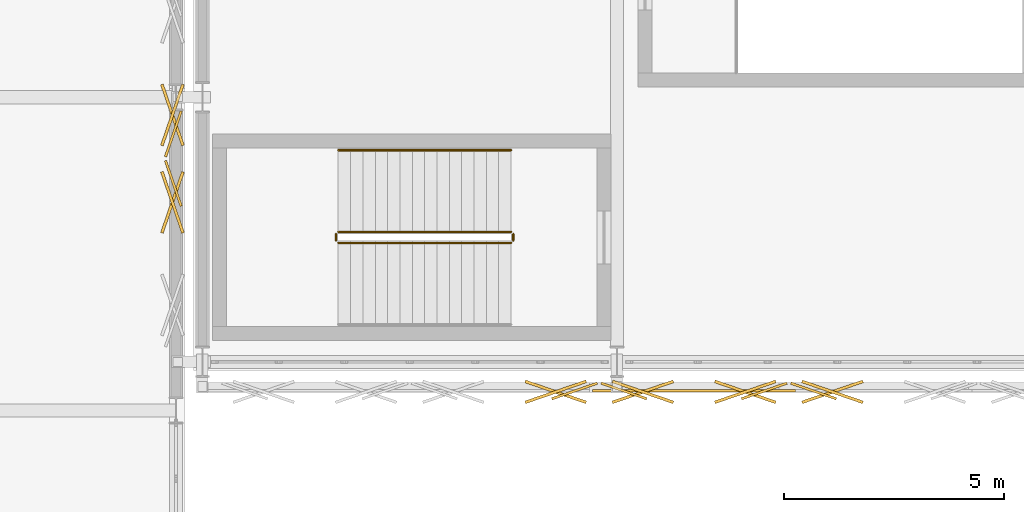
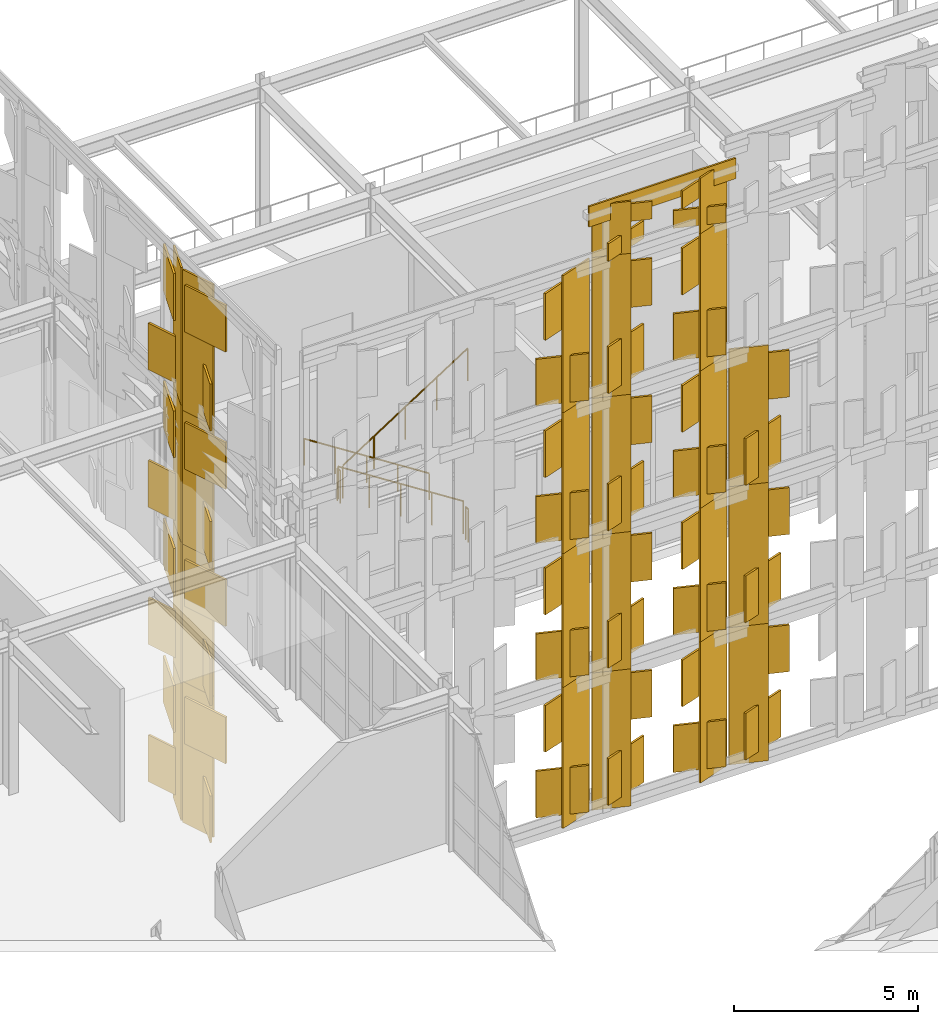
# One storey, part 228 of 239: 76 coverings, 5 railings.
"""IFC4 building model written with IfcOpenShell, lengths in metres."""

from ifc_helpers import new_model, si_unit, direction, frame, origin, origin_2d, place, context, subcontext, project, spatial, rectangle, circle, extrude, material, layer, layer_set, type_object, element, save


model = new_model("IFC4")

# Units and contexts
model_context = context("Model", 3, precision=1e-05, world=origin(), true_north=direction((0.0, 1.0)))
body_context = subcontext(model_context, "Body", "Model", "MODEL_VIEW")
ifc_project = project(units=[si_unit("LENGTHUNIT", "METRE"), si_unit("AREAUNIT", "SQUARE_METRE"), si_unit("VOLUMEUNIT", "CUBIC_METRE"), si_unit("PLANEANGLEUNIT", "RADIAN"), si_unit("MASSUNIT", "GRAM", prefix="KILO")], contexts=[model_context])

# Site, building, storey
site_placement = place(None, origin())
site = spatial("IfcSite", under=ifc_project, at=site_placement, CompositionType="ELEMENT")
building_placement = place(site_placement, origin())
building = spatial("IfcBuilding", under=site, at=building_placement, Name="Kaldris Quays Convention Centre", CompositionType="ELEMENT")
storey_placement = place(building_placement, frame((0.0, 0.0, 11.39990234375)))
storey = spatial("IfcBuildingStorey", under=building, at=storey_placement, Name="L02", CompositionType="ELEMENT", Elevation=11.39990234375)

# Railings
ifc_material_1 = material(Name="Steel S355J2", Category="steel")
railing_type_1 = type_object("IfcRailingType", Name="INTERIOR GUARDRAIL GR01", PredefinedType="GUARDRAIL", material=ifc_material_1)
railing_1_placement = place(storey_placement, frame((171.60009765625, 58.949951171875, 0.18017578125)))
element("IfcRailing", 1, at=railing_1_placement, inside=storey, type_object=railing_type_1, Name="L02 ST08 Stair Guardrail 1", PredefinedType="GUARDRAIL", context=body_context, shape_type="SweptSolid", body=[
    extrude(circle(Radius=0.02392578125, at=origin_2d()), frame((0.0, 0.0, 1.076171875), z_axis=(-0.841186985886, 0.0, 0.540744352514), x_axis=(0.0, -1.0, 0.0)), (0.0, 0.0, 1.0), 4.660400390625),
    extrude(circle(Radius=0.02099609375, at=origin_2d()), origin(), (0.0, 0.0, 1.0), 1.052001953125),
    extrude(circle(Radius=0.02099609375, at=origin_2d()), frame((-0.97998046875, 0.0, 0.6298828125)), (0.0, 0.0, 1.0), 1.052001953125),
    extrude(circle(Radius=0.02099609375, at=origin_2d()), frame((-1.9599609375, 0.0, 1.260009765625)), (0.0, 0.0, 1.0), 1.052001953125),
    extrude(circle(Radius=0.02099609375, at=origin_2d()), frame((-2.940185546875, 0.0, 1.89013671875)), (0.0, 0.0, 1.0), 1.052001953125),
    extrude(circle(Radius=0.02099609375, at=origin_2d()), frame((-3.920166015625, 0.0, 2.52001953125)), (0.0, 0.0, 1.0), 1.052001953125),
])
railing_2_placement = place(storey_placement, frame((167.6298828125, 58.89990234375, 2.7001953125)))
element("IfcRailing", 2, at=railing_2_placement, inside=storey, type_object=railing_type_1, Name="L02 ST08 Stair Guardrail 2", PredefinedType="GUARDRAIL", context=body_context, shape_type="SweptSolid", body=[
    extrude(circle(Radius=0.02392578125, at=origin_2d()), frame((0.0, 0.0, 1.076171875), z_axis=(0.0, -1.0, 0.0), x_axis=(1.0, 0.0, 0.0)), (0.0, 0.0, 1.0), 0.14990234375),
    extrude(circle(Radius=0.02099609375, at=origin_2d()), origin(), (0.0, 0.0, 1.0), 1.052001953125),
    extrude(circle(Radius=0.02099609375, at=origin_2d()), frame((0.0, -0.14990234375, 0.0)), (0.0, 0.0, 1.0), 1.052001953125),
])
railing_3_placement = place(storey_placement, frame((167.679931640625, 58.699951171875, 2.880126953125)))
element("IfcRailing", 3, at=railing_3_placement, inside=storey, type_object=railing_type_1, Name="L02 ST08 Stair Guardrail 3", PredefinedType="GUARDRAIL", context=body_context, shape_type="SweptSolid", body=[
    extrude(circle(Radius=0.02392578125, at=origin_2d()), frame((0.0, 0.0, 1.076171875), z_axis=(0.841186985886, 0.0, 0.540744352514), x_axis=(0.0, 1.0, 0.0)), (0.0, 0.0, 1.0), 4.660400390625),
    extrude(circle(Radius=0.02099609375, at=origin_2d()), origin(), (0.0, 0.0, 1.0), 1.052001953125),
    extrude(circle(Radius=0.02099609375, at=origin_2d()), frame((0.97998046875, 0.0, 0.6298828125)), (0.0, 0.0, 1.0), 1.052001953125),
    extrude(circle(Radius=0.02099609375, at=origin_2d()), frame((1.9599609375, 0.0, 1.260009765625)), (0.0, 0.0, 1.0), 1.052001953125),
    extrude(circle(Radius=0.02099609375, at=origin_2d()), frame((2.940185546875, 0.0, 1.89013671875)), (0.0, 0.0, 1.0), 1.052001953125),
    extrude(circle(Radius=0.02099609375, at=origin_2d()), frame((3.920166015625, 0.0, 2.52001953125)), (0.0, 0.0, 1.0), 1.052001953125),
])
railing_4_placement = place(storey_placement, frame((171.64990234375, 58.89990234375, 0.0)))
element("IfcRailing", 4, at=railing_4_placement, inside=storey, type_object=railing_type_1, Name="L02 ST08 Stair Guardrail 4", PredefinedType="GUARDRAIL", context=body_context, shape_type="SweptSolid", body=[
    extrude(circle(Radius=0.02392578125, at=origin_2d()), frame((0.0, 0.0, 1.076171875), z_axis=(0.0, -1.0, 0.0), x_axis=(1.0, 0.0, 0.0)), (0.0, 0.0, 1.0), 0.14990234375),
    extrude(circle(Radius=0.02099609375, at=origin_2d()), origin(), (0.0, 0.0, 1.0), 1.052001953125),
    extrude(circle(Radius=0.02099609375, at=origin_2d()), frame((0.0, -0.14990234375, 0.0)), (0.0, 0.0, 1.0), 1.052001953125),
])
ifc_material_2 = material(Name="Stainless steel 1.4301", Category="steel")
railing_type_2 = type_object("IfcRailingType", Name="STAIR HANDRAIL HR01", PredefinedType="HANDRAIL", material=ifc_material_2)
railing_5_placement = place(storey_placement, frame((171.60009765625, 60.800048828125, 0.18017578125)))
element("IfcRailing", 5, at=railing_5_placement, inside=storey, type_object=railing_type_2, Name="L02 ST08 Flight Handrail 1", PredefinedType="HANDRAIL", context=body_context, shape_type="SweptSolid", body=[
    extrude(circle(Radius=0.02392578125, at=origin_2d()), frame((0.0, 0.0, 0.8759765625), z_axis=(-0.841186985886, 0.0, 0.540744352514), x_axis=(0.0, -1.0, 0.0)), (0.0, 0.0, 1.0), 4.660400390625),
    extrude(circle(Radius=0.02099609375, at=origin_2d()), origin(), (0.0, 0.0, 1.0), 0.851806640625),
    extrude(circle(Radius=0.02099609375, at=origin_2d()), frame((-0.97998046875, 0.0, 0.6298828125)), (0.0, 0.0, 1.0), 0.851806640625),
    extrude(circle(Radius=0.02099609375, at=origin_2d()), frame((-1.9599609375, 0.0, 1.260009765625)), (0.0, 0.0, 1.0), 0.851806640625),
    extrude(circle(Radius=0.02099609375, at=origin_2d()), frame((-2.940185546875, 0.0, 1.89013671875)), (0.0, 0.0, 1.0), 0.851806640625),
    extrude(circle(Radius=0.02099609375, at=origin_2d()), frame((-3.920166015625, 0.0, 2.52001953125)), (0.0, 0.0, 1.0), 0.851806640625),
])

# Coverings
ifc_material_3 = material(Name="Alabaster white star-pierced anodized aluminium panel", Category="aluminium")
ifc_layer = layer(ifc_material_3, 0.044921875)
ifc_layer_set = layer_set([ifc_layer], Name="Alabaster white star-pierced anodized aluminium panel")
covering_type = type_object("IfcCoveringType", Name="STAR PIERCED WHITE FOLDED SCREEN CL01", PredefinedType="CLADDING", material=ifc_layer_set)
covering_1_placement = place(storey_placement, frame((163.93994140625, 60.048828125, -7.60986328125), z_axis=(0.0, 0.0, 1.0), x_axis=(-0.325568154457, 0.945518575599, 0.0)))
element("IfcCovering", 6, at=covering_1_placement, inside=storey, type_object=covering_type, Name="V2W Folded White Screen Stile 2142", PredefinedType="CLADDING", context=body_context, shape_type="SweptSolid", body=[
    extrude(rectangle(XDim=1.093994140625, YDim=0.054931640625, at=origin_2d()), origin(), (0.0, 0.0, 1.0), 4.669921875),
])
for number, where, z_axis, x_axis, name in (
    (7, (163.919921875, 59.617919921875, -7.27685546875), (0.0, 0.0, 1.0), (0.325568154457, 0.945518575599, 0.0), "V2W Carved Star Corner Facet 2145"),
    (8, (163.919921875, 59.617919921875, -4.81982421875), (0.0, 0.0, 1.0), (-0.325568154457, 0.945518575599, 0.0), "V2W Carved Star Corner Facet 2146"),
):
    element("IfcCovering", number, at=place(storey_placement, frame(where, z_axis=z_axis, x_axis=x_axis)), inside=storey, type_object=covering_type, Name=name, PredefinedType="CLADDING", context=body_context, shape_type="SweptSolid", body=[
        extrude(rectangle(XDim=1.465087890625, YDim=0.06494140625, at=origin_2d()), origin(), (0.0, 0.0, 1.0), 1.547119140625),
    ])
covering_2_placement = place(storey_placement, frame((163.93994140625, 60.048828125, -3.059814453125), z_axis=(0.0, 0.0, 1.0), x_axis=(-0.325568154457, 0.945518575599, 0.0)))
element("IfcCovering", 9, at=covering_2_placement, inside=storey, type_object=covering_type, Name="V2W Folded White Screen Stile 2148", PredefinedType="CLADDING", context=body_context, shape_type="SweptSolid", body=[
    extrude(rectangle(XDim=1.093994140625, YDim=0.054931640625, at=origin_2d()), origin(), (0.0, 0.0, 1.0), 4.669921875),
])
for number, where, z_axis, x_axis, name in (
    (10, (163.919921875, 59.617919921875, -2.72705078125), (0.0, 0.0, 1.0), (0.325568154457, 0.945518575599, 0.0), "V2W Carved Star Corner Facet 2151"),
    (11, (163.919921875, 59.617919921875, -0.27001953125), (0.0, 0.0, 1.0), (-0.325568154457, 0.945518575599, 0.0), "V2W Carved Star Corner Facet 2152"),
):
    element("IfcCovering", number, at=place(storey_placement, frame(where, z_axis=z_axis, x_axis=x_axis)), inside=storey, type_object=covering_type, Name=name, PredefinedType="CLADDING", context=body_context, shape_type="SweptSolid", body=[
        extrude(rectangle(XDim=1.465087890625, YDim=0.06494140625, at=origin_2d()), origin(), (0.0, 0.0, 1.0), 1.547119140625),
    ])
covering_3_placement = place(storey_placement, frame((163.93994140625, 60.048828125, 1.490234375), z_axis=(0.0, 0.0, 1.0), x_axis=(-0.325568154457, 0.945518575599, 0.0)))
element("IfcCovering", 12, at=covering_3_placement, inside=storey, type_object=covering_type, Name="V2W Folded White Screen Stile 2154", PredefinedType="CLADDING", context=body_context, shape_type="SweptSolid", body=[
    extrude(rectangle(XDim=1.093994140625, YDim=0.054931640625, at=origin_2d()), origin(), (0.0, 0.0, 1.0), 4.669921875),
])
for number, where, z_axis, x_axis, name in (
    (13, (163.919921875, 59.617919921875, 1.8232421875), (0.0, 0.0, 1.0), (0.325568154457, 0.945518575599, 0.0), "V2W Carved Star Corner Facet 2157"),
    (14, (163.919921875, 59.617919921875, 4.2802734375), (0.0, 0.0, 1.0), (-0.325568154457, 0.945518575599, 0.0), "V2W Carved Star Corner Facet 2158"),
):
    element("IfcCovering", number, at=place(storey_placement, frame(where, z_axis=z_axis, x_axis=x_axis)), inside=storey, type_object=covering_type, Name=name, PredefinedType="CLADDING", context=body_context, shape_type="SweptSolid", body=[
        extrude(rectangle(XDim=1.465087890625, YDim=0.06494140625, at=origin_2d()), origin(), (0.0, 0.0, 1.0), 1.547119140625),
    ])
covering_4_placement = place(storey_placement, frame((163.93994140625, 60.048828125, 6.0400390625), z_axis=(0.0, 0.0, 1.0), x_axis=(-0.325568154457, 0.945518575599, 0.0)))
element("IfcCovering", 15, at=covering_4_placement, inside=storey, type_object=covering_type, Name="V2W Folded White Screen Stile 2160", PredefinedType="CLADDING", context=body_context, shape_type="SweptSolid", body=[
    extrude(rectangle(XDim=1.093994140625, YDim=0.054931640625, at=origin_2d()), origin(), (0.0, 0.0, 1.0), 4.669921875),
])
for number, where, z_axis, x_axis, name in (
    (16, (163.919921875, 59.617919921875, 6.373046875), (0.0, 0.0, 1.0), (0.325568154457, 0.945518575599, 0.0), "V2W Carved Star Corner Facet 2163"),
    (17, (163.919921875, 59.617919921875, 8.830078125), (0.0, 0.0, 1.0), (-0.325568154457, 0.945518575599, 0.0), "V2W Carved Star Corner Facet 2164"),
):
    element("IfcCovering", number, at=place(storey_placement, frame(where, z_axis=z_axis, x_axis=x_axis)), inside=storey, type_object=covering_type, Name=name, PredefinedType="CLADDING", context=body_context, shape_type="SweptSolid", body=[
        extrude(rectangle(XDim=1.465087890625, YDim=0.06494140625, at=origin_2d()), origin(), (0.0, 0.0, 1.0), 1.547119140625),
    ])
covering_5_placement = place(storey_placement, frame((163.93994140625, 61.169189453125, -7.60986328125), z_axis=(0.0, 0.0, 1.0), x_axis=(0.325568154457, 0.945518575599, 0.0)))
element("IfcCovering", 18, at=covering_5_placement, inside=storey, type_object=covering_type, Name="V2W Folded White Screen Stile 2165", PredefinedType="CLADDING", context=body_context, shape_type="SweptSolid", body=[
    extrude(rectangle(XDim=1.093994140625, YDim=0.054931640625, at=origin_2d()), origin(), (0.0, 0.0, 1.0), 4.669921875),
])
for number, where, z_axis, x_axis, name in (
    (19, (163.919921875, 61.60009765625, -7.27685546875), (0.0, 0.0, 1.0), (-0.325568154457, 0.945518575599, 0.0), "V2W Carved Star Corner Facet 2167"),
    (20, (163.919921875, 61.60009765625, -4.81982421875), (0.0, 0.0, 1.0), (0.325568154457, 0.945518575599, 0.0), "V2W Carved Star Corner Facet 2168"),
):
    element("IfcCovering", number, at=place(storey_placement, frame(where, z_axis=z_axis, x_axis=x_axis)), inside=storey, type_object=covering_type, Name=name, PredefinedType="CLADDING", context=body_context, shape_type="SweptSolid", body=[
        extrude(rectangle(XDim=1.465087890625, YDim=0.06494140625, at=origin_2d()), origin(), (0.0, 0.0, 1.0), 1.547119140625),
    ])
covering_6_placement = place(storey_placement, frame((163.93994140625, 61.169189453125, -3.059814453125), z_axis=(0.0, 0.0, 1.0), x_axis=(0.325568154457, 0.945518575599, 0.0)))
element("IfcCovering", 21, at=covering_6_placement, inside=storey, type_object=covering_type, Name="V2W Folded White Screen Stile 2171", PredefinedType="CLADDING", context=body_context, shape_type="SweptSolid", body=[
    extrude(rectangle(XDim=1.093994140625, YDim=0.054931640625, at=origin_2d()), origin(), (0.0, 0.0, 1.0), 4.669921875),
])
for number, where, z_axis, x_axis, name in (
    (22, (163.919921875, 61.60009765625, -2.72705078125), (0.0, 0.0, 1.0), (-0.325568154457, 0.945518575599, 0.0), "V2W Carved Star Corner Facet 2173"),
    (23, (163.919921875, 61.60009765625, -0.27001953125), (0.0, 0.0, 1.0), (0.325568154457, 0.945518575599, 0.0), "V2W Carved Star Corner Facet 2174"),
):
    element("IfcCovering", number, at=place(storey_placement, frame(where, z_axis=z_axis, x_axis=x_axis)), inside=storey, type_object=covering_type, Name=name, PredefinedType="CLADDING", context=body_context, shape_type="SweptSolid", body=[
        extrude(rectangle(XDim=1.465087890625, YDim=0.06494140625, at=origin_2d()), origin(), (0.0, 0.0, 1.0), 1.547119140625),
    ])
covering_7_placement = place(storey_placement, frame((163.93994140625, 61.169189453125, 1.490234375), z_axis=(0.0, 0.0, 1.0), x_axis=(0.325568154457, 0.945518575599, 0.0)))
element("IfcCovering", 24, at=covering_7_placement, inside=storey, type_object=covering_type, Name="V2W Folded White Screen Stile 2177", PredefinedType="CLADDING", context=body_context, shape_type="SweptSolid", body=[
    extrude(rectangle(XDim=1.093994140625, YDim=0.054931640625, at=origin_2d()), origin(), (0.0, 0.0, 1.0), 4.669921875),
])
for number, where, z_axis, x_axis, name in (
    (25, (163.919921875, 61.60009765625, 1.8232421875), (0.0, 0.0, 1.0), (-0.325568154457, 0.945518575599, 0.0), "V2W Carved Star Corner Facet 2179"),
    (26, (163.919921875, 61.60009765625, 4.2802734375), (0.0, 0.0, 1.0), (0.325568154457, 0.945518575599, 0.0), "V2W Carved Star Corner Facet 2180"),
):
    element("IfcCovering", number, at=place(storey_placement, frame(where, z_axis=z_axis, x_axis=x_axis)), inside=storey, type_object=covering_type, Name=name, PredefinedType="CLADDING", context=body_context, shape_type="SweptSolid", body=[
        extrude(rectangle(XDim=1.465087890625, YDim=0.06494140625, at=origin_2d()), origin(), (0.0, 0.0, 1.0), 1.547119140625),
    ])
covering_8_placement = place(storey_placement, frame((163.93994140625, 61.169189453125, 6.0400390625), z_axis=(0.0, 0.0, 1.0), x_axis=(0.325568154457, 0.945518575599, 0.0)))
element("IfcCovering", 27, at=covering_8_placement, inside=storey, type_object=covering_type, Name="V2W Folded White Screen Stile 2183", PredefinedType="CLADDING", context=body_context, shape_type="SweptSolid", body=[
    extrude(rectangle(XDim=1.093994140625, YDim=0.054931640625, at=origin_2d()), origin(), (0.0, 0.0, 1.0), 4.669921875),
])
for number, where, z_axis, x_axis, name in (
    (28, (163.919921875, 61.60009765625, 6.373046875), (0.0, 0.0, 1.0), (-0.325568154457, 0.945518575599, 0.0), "V2W Carved Star Corner Facet 2185"),
    (29, (163.919921875, 61.60009765625, 8.830078125), (0.0, 0.0, 1.0), (0.325568154457, 0.945518575599, 0.0), "V2W Carved Star Corner Facet 2186"),
):
    element("IfcCovering", number, at=place(storey_placement, frame(where, z_axis=z_axis, x_axis=x_axis)), inside=storey, type_object=covering_type, Name=name, PredefinedType="CLADDING", context=body_context, shape_type="SweptSolid", body=[
        extrude(rectangle(XDim=1.465087890625, YDim=0.06494140625, at=origin_2d()), origin(), (0.0, 0.0, 1.0), 1.547119140625),
    ])
covering_9_placement = place(storey_placement, frame((173.041015625, 55.340087890625, -7.60986328125), z_axis=(0.0, 0.0, 1.0), x_axis=(0.945518575599, 0.325568154457, 0.0)))
element("IfcCovering", 30, at=covering_9_placement, inside=storey, type_object=covering_type, Name="V2S Folded White Screen Stile 2435", PredefinedType="CLADDING", context=body_context, shape_type="SweptSolid", body=[
    extrude(rectangle(XDim=1.091064453125, YDim=0.054931640625, at=origin_2d()), origin(), (0.0, 0.0, 1.0), 4.669921875),
])
for number, where, z_axis, x_axis, name in (
    (31, (172.611083984375, 55.320068359375, -7.27685546875), (0.0, 0.0, 1.0), (0.945518575599, -0.325568154457, 0.0), "V2S Carved Star Corner Facet 2438"),
    (32, (172.611083984375, 55.320068359375, -4.81982421875), (0.0, 0.0, 1.0), (0.945518575599, 0.325568154457, 0.0), "V2S Carved Star Corner Facet 2439"),
):
    element("IfcCovering", number, at=place(storey_placement, frame(where, z_axis=z_axis, x_axis=x_axis)), inside=storey, type_object=covering_type, Name=name, PredefinedType="CLADDING", context=body_context, shape_type="SweptSolid", body=[
        extrude(rectangle(XDim=1.4619140625, YDim=0.06494140625, at=origin_2d()), origin(), (0.0, 0.0, 1.0), 1.547119140625),
    ])
covering_10_placement = place(storey_placement, frame((173.041015625, 55.340087890625, -3.059814453125), z_axis=(0.0, 0.0, 1.0), x_axis=(0.945518575599, 0.325568154457, 0.0)))
element("IfcCovering", 33, at=covering_10_placement, inside=storey, type_object=covering_type, Name="V2S Folded White Screen Stile 2441", PredefinedType="CLADDING", context=body_context, shape_type="SweptSolid", body=[
    extrude(rectangle(XDim=1.091064453125, YDim=0.054931640625, at=origin_2d()), origin(), (0.0, 0.0, 1.0), 4.669921875),
])
for number, where, z_axis, x_axis, name in (
    (34, (172.611083984375, 55.320068359375, -2.72705078125), (0.0, 0.0, 1.0), (0.945518575599, -0.325568154457, 0.0), "V2S Carved Star Corner Facet 2444"),
    (35, (172.611083984375, 55.320068359375, -0.27001953125), (0.0, 0.0, 1.0), (0.945518575599, 0.325568154457, 0.0), "V2S Carved Star Corner Facet 2445"),
):
    element("IfcCovering", number, at=place(storey_placement, frame(where, z_axis=z_axis, x_axis=x_axis)), inside=storey, type_object=covering_type, Name=name, PredefinedType="CLADDING", context=body_context, shape_type="SweptSolid", body=[
        extrude(rectangle(XDim=1.4619140625, YDim=0.06494140625, at=origin_2d()), origin(), (0.0, 0.0, 1.0), 1.547119140625),
    ])
covering_11_placement = place(storey_placement, frame((173.041015625, 55.340087890625, 1.490234375), z_axis=(0.0, 0.0, 1.0), x_axis=(0.945518575599, 0.325568154457, 0.0)))
element("IfcCovering", 36, at=covering_11_placement, inside=storey, type_object=covering_type, Name="V2S Folded White Screen Stile 2447", PredefinedType="CLADDING", context=body_context, shape_type="SweptSolid", body=[
    extrude(rectangle(XDim=1.091064453125, YDim=0.054931640625, at=origin_2d()), origin(), (0.0, 0.0, 1.0), 4.669921875),
])
for number, where, z_axis, x_axis, name in (
    (37, (172.611083984375, 55.320068359375, 1.8232421875), (0.0, 0.0, 1.0), (0.945518575599, -0.325568154457, 0.0), "V2S Carved Star Corner Facet 2450"),
    (38, (172.611083984375, 55.320068359375, 4.2802734375), (0.0, 0.0, 1.0), (0.945518575599, 0.325568154457, 0.0), "V2S Carved Star Corner Facet 2451"),
):
    element("IfcCovering", number, at=place(storey_placement, frame(where, z_axis=z_axis, x_axis=x_axis)), inside=storey, type_object=covering_type, Name=name, PredefinedType="CLADDING", context=body_context, shape_type="SweptSolid", body=[
        extrude(rectangle(XDim=1.4619140625, YDim=0.06494140625, at=origin_2d()), origin(), (0.0, 0.0, 1.0), 1.547119140625),
    ])
covering_12_placement = place(storey_placement, frame((173.041015625, 55.340087890625, 6.0400390625), z_axis=(0.0, 0.0, 1.0), x_axis=(0.945518575599, 0.325568154457, 0.0)))
element("IfcCovering", 39, at=covering_12_placement, inside=storey, type_object=covering_type, Name="V2S Folded White Screen Stile 2453", PredefinedType="CLADDING", context=body_context, shape_type="SweptSolid", body=[
    extrude(rectangle(XDim=1.091064453125, YDim=0.054931640625, at=origin_2d()), origin(), (0.0, 0.0, 1.0), 4.669921875),
])
for number, where, z_axis, x_axis, name in (
    (40, (172.611083984375, 55.320068359375, 6.373046875), (0.0, 0.0, 1.0), (0.945518575599, -0.325568154457, 0.0), "V2S Carved Star Corner Facet 2456"),
    (41, (172.611083984375, 55.320068359375, 8.830078125), (0.0, 0.0, 1.0), (0.945518575599, 0.325568154457, 0.0), "V2S Carved Star Corner Facet 2457"),
):
    element("IfcCovering", number, at=place(storey_placement, frame(where, z_axis=z_axis, x_axis=x_axis)), inside=storey, type_object=covering_type, Name=name, PredefinedType="CLADDING", context=body_context, shape_type="SweptSolid", body=[
        extrude(rectangle(XDim=1.4619140625, YDim=0.06494140625, at=origin_2d()), origin(), (0.0, 0.0, 1.0), 1.547119140625),
    ])
covering_13_placement = place(storey_placement, frame((175.75, 55.35009765625, 11.88330078125), z_axis=(0.0, 0.0, 1.0), x_axis=(1.0, 0.0, 0.0)))
element("IfcCovering", 42, at=covering_13_placement, inside=storey, type_object=covering_type, Name="V2S Gable White Screen Cap Band 2458", PredefinedType="CLADDING", context=body_context, shape_type="SweptSolid", body=[
    extrude(rectangle(XDim=4.60009765625, YDim=0.054931640625, at=origin_2d()), origin(), (0.0, 0.0, 1.0), 0.679931640625),
])
for number, where, z_axis, x_axis, name in (
    (43, (174.158935546875, 55.340087890625, -7.60986328125), (0.0, 0.0, 1.0), (0.945518575599, -0.325568154457, 0.0), "V2S Folded White Screen Stile 2459"),
    (44, (177.341064453125, 55.340087890625, -7.60986328125), (0.0, 0.0, 1.0), (0.945518575599, 0.325568154457, 0.0), "V2S Folded White Screen Stile 2460"),
):
    element("IfcCovering", number, at=place(storey_placement, frame(where, z_axis=z_axis, x_axis=x_axis)), inside=storey, type_object=covering_type, Name=name, PredefinedType="CLADDING", context=body_context, shape_type="SweptSolid", body=[
        extrude(rectangle(XDim=1.091064453125, YDim=0.054931640625, at=origin_2d()), origin(), (0.0, 0.0, 1.0), 4.669921875),
    ])
for number, where, z_axis, x_axis, name in (
    (45, (174.589111328125, 55.320068359375, -7.27685546875), (0.0, 0.0, 1.0), (0.945518575599, 0.325568154457, 0.0), "V2S Carved Star Corner Facet 2461"),
    (46, (174.589111328125, 55.320068359375, -4.81982421875), (0.0, 0.0, 1.0), (0.945518575599, -0.325568154457, 0.0), "V2S Carved Star Corner Facet 2462"),
    (47, (176.910888671875, 55.320068359375, -7.27685546875), (0.0, 0.0, 1.0), (0.945518575599, -0.325568154457, 0.0), "V2S Carved Star Corner Facet 2463"),
    (48, (176.910888671875, 55.320068359375, -4.81982421875), (0.0, 0.0, 1.0), (0.945518575599, 0.325568154457, 0.0), "V2S Carved Star Corner Facet 2464"),
):
    element("IfcCovering", number, at=place(storey_placement, frame(where, z_axis=z_axis, x_axis=x_axis)), inside=storey, type_object=covering_type, Name=name, PredefinedType="CLADDING", context=body_context, shape_type="SweptSolid", body=[
        extrude(rectangle(XDim=1.4619140625, YDim=0.06494140625, at=origin_2d()), origin(), (0.0, 0.0, 1.0), 1.547119140625),
    ])
for number, where, z_axis, x_axis, name in (
    (49, (174.158935546875, 55.340087890625, -3.059814453125), (0.0, 0.0, 1.0), (0.945518575599, -0.325568154457, 0.0), "V2S Folded White Screen Stile 2465"),
    (50, (177.341064453125, 55.340087890625, -3.059814453125), (0.0, 0.0, 1.0), (0.945518575599, 0.325568154457, 0.0), "V2S Folded White Screen Stile 2466"),
):
    element("IfcCovering", number, at=place(storey_placement, frame(where, z_axis=z_axis, x_axis=x_axis)), inside=storey, type_object=covering_type, Name=name, PredefinedType="CLADDING", context=body_context, shape_type="SweptSolid", body=[
        extrude(rectangle(XDim=1.091064453125, YDim=0.054931640625, at=origin_2d()), origin(), (0.0, 0.0, 1.0), 4.669921875),
    ])
for number, where, z_axis, x_axis, name in (
    (51, (174.589111328125, 55.320068359375, -2.72705078125), (0.0, 0.0, 1.0), (0.945518575599, 0.325568154457, 0.0), "V2S Carved Star Corner Facet 2467"),
    (52, (174.589111328125, 55.320068359375, -0.27001953125), (0.0, 0.0, 1.0), (0.945518575599, -0.325568154457, 0.0), "V2S Carved Star Corner Facet 2468"),
    (53, (176.910888671875, 55.320068359375, -2.72705078125), (0.0, 0.0, 1.0), (0.945518575599, -0.325568154457, 0.0), "V2S Carved Star Corner Facet 2469"),
    (54, (176.910888671875, 55.320068359375, -0.27001953125), (0.0, 0.0, 1.0), (0.945518575599, 0.325568154457, 0.0), "V2S Carved Star Corner Facet 2470"),
):
    element("IfcCovering", number, at=place(storey_placement, frame(where, z_axis=z_axis, x_axis=x_axis)), inside=storey, type_object=covering_type, Name=name, PredefinedType="CLADDING", context=body_context, shape_type="SweptSolid", body=[
        extrude(rectangle(XDim=1.4619140625, YDim=0.06494140625, at=origin_2d()), origin(), (0.0, 0.0, 1.0), 1.547119140625),
    ])
for number, where, z_axis, x_axis, name in (
    (55, (174.158935546875, 55.340087890625, 1.490234375), (0.0, 0.0, 1.0), (0.945518575599, -0.325568154457, 0.0), "V2S Folded White Screen Stile 2471"),
    (56, (177.341064453125, 55.340087890625, 1.490234375), (0.0, 0.0, 1.0), (0.945518575599, 0.325568154457, 0.0), "V2S Folded White Screen Stile 2472"),
):
    element("IfcCovering", number, at=place(storey_placement, frame(where, z_axis=z_axis, x_axis=x_axis)), inside=storey, type_object=covering_type, Name=name, PredefinedType="CLADDING", context=body_context, shape_type="SweptSolid", body=[
        extrude(rectangle(XDim=1.091064453125, YDim=0.054931640625, at=origin_2d()), origin(), (0.0, 0.0, 1.0), 4.669921875),
    ])
for number, where, z_axis, x_axis, name in (
    (57, (174.589111328125, 55.320068359375, 1.8232421875), (0.0, 0.0, 1.0), (0.945518575599, 0.325568154457, 0.0), "V2S Carved Star Corner Facet 2473"),
    (58, (174.589111328125, 55.320068359375, 4.2802734375), (0.0, 0.0, 1.0), (0.945518575599, -0.325568154457, 0.0), "V2S Carved Star Corner Facet 2474"),
    (59, (176.910888671875, 55.320068359375, 1.8232421875), (0.0, 0.0, 1.0), (0.945518575599, -0.325568154457, 0.0), "V2S Carved Star Corner Facet 2475"),
    (60, (176.910888671875, 55.320068359375, 4.2802734375), (0.0, 0.0, 1.0), (0.945518575599, 0.325568154457, 0.0), "V2S Carved Star Corner Facet 2476"),
):
    element("IfcCovering", number, at=place(storey_placement, frame(where, z_axis=z_axis, x_axis=x_axis)), inside=storey, type_object=covering_type, Name=name, PredefinedType="CLADDING", context=body_context, shape_type="SweptSolid", body=[
        extrude(rectangle(XDim=1.4619140625, YDim=0.06494140625, at=origin_2d()), origin(), (0.0, 0.0, 1.0), 1.547119140625),
    ])
for number, where, z_axis, x_axis, name in (
    (61, (174.158935546875, 55.340087890625, 6.0400390625), (0.0, 0.0, 1.0), (0.945518575599, -0.325568154457, 0.0), "V2S Folded White Screen Stile 2477"),
    (62, (177.341064453125, 55.340087890625, 6.0400390625), (0.0, 0.0, 1.0), (0.945518575599, 0.325568154457, 0.0), "V2S Folded White Screen Stile 2478"),
):
    element("IfcCovering", number, at=place(storey_placement, frame(where, z_axis=z_axis, x_axis=x_axis)), inside=storey, type_object=covering_type, Name=name, PredefinedType="CLADDING", context=body_context, shape_type="SweptSolid", body=[
        extrude(rectangle(XDim=1.091064453125, YDim=0.054931640625, at=origin_2d()), origin(), (0.0, 0.0, 1.0), 4.669921875),
    ])
for number, where, z_axis, x_axis, name in (
    (63, (174.589111328125, 55.320068359375, 6.373046875), (0.0, 0.0, 1.0), (0.945518575599, 0.325568154457, 0.0), "V2S Carved Star Corner Facet 2479"),
    (64, (174.589111328125, 55.320068359375, 8.830078125), (0.0, 0.0, 1.0), (0.945518575599, -0.325568154457, 0.0), "V2S Carved Star Corner Facet 2480"),
    (65, (176.910888671875, 55.320068359375, 6.373046875), (0.0, 0.0, 1.0), (0.945518575599, -0.325568154457, 0.0), "V2S Carved Star Corner Facet 2481"),
    (66, (176.910888671875, 55.320068359375, 8.830078125), (0.0, 0.0, 1.0), (0.945518575599, 0.325568154457, 0.0), "V2S Carved Star Corner Facet 2482"),
):
    element("IfcCovering", number, at=place(storey_placement, frame(where, z_axis=z_axis, x_axis=x_axis)), inside=storey, type_object=covering_type, Name=name, PredefinedType="CLADDING", context=body_context, shape_type="SweptSolid", body=[
        extrude(rectangle(XDim=1.4619140625, YDim=0.06494140625, at=origin_2d()), origin(), (0.0, 0.0, 1.0), 1.547119140625),
    ])
for number, where, z_axis, x_axis, name in (
    (67, (174.158935546875, 55.340087890625, 10.59033203125), (0.0, 0.0, 1.0), (0.945518575599, -0.325568154457, 0.0), "V2S Folded White Screen Stile 2483"),
    (68, (177.341064453125, 55.340087890625, 10.59033203125), (0.0, 0.0, 1.0), (0.945518575599, 0.325568154457, 0.0), "V2S Folded White Screen Stile 2484"),
):
    element("IfcCovering", number, at=place(storey_placement, frame(where, z_axis=z_axis, x_axis=x_axis)), inside=storey, type_object=covering_type, Name=name, PredefinedType="CLADDING", context=body_context, shape_type="SweptSolid", body=[
        extrude(rectangle(XDim=1.091064453125, YDim=0.054931640625, at=origin_2d()), origin(), (0.0, 0.0, 1.0), 1.843017578125),
    ])
for number, where, z_axis, x_axis, name in (
    (69, (174.589111328125, 55.320068359375, 10.75341796875), (0.0, 0.0, 1.0), (0.945518575599, 0.325568154457, 0.0), "V2S Carved Star Corner Facet 2485"),
    (70, (174.589111328125, 55.320068359375, 11.683837890625), (0.0, 0.0, 1.0), (0.945518575599, -0.325568154457, 0.0), "V2S Carved Star Corner Facet 2486"),
    (71, (176.910888671875, 55.320068359375, 10.75341796875), (0.0, 0.0, 1.0), (0.945518575599, -0.325568154457, 0.0), "V2S Carved Star Corner Facet 2487"),
    (72, (176.910888671875, 55.320068359375, 11.683837890625), (0.0, 0.0, 1.0), (0.945518575599, 0.325568154457, 0.0), "V2S Carved Star Corner Facet 2488"),
):
    element("IfcCovering", number, at=place(storey_placement, frame(where, z_axis=z_axis, x_axis=x_axis)), inside=storey, type_object=covering_type, Name=name, PredefinedType="CLADDING", context=body_context, shape_type="SweptSolid", body=[
        extrude(rectangle(XDim=1.4619140625, YDim=0.06494140625, at=origin_2d()), origin(), (0.0, 0.0, 1.0), 0.5859375),
    ])
covering_14_placement = place(storey_placement, frame((178.458984375, 55.340087890625, -7.60986328125), z_axis=(0.0, 0.0, 1.0), x_axis=(0.945518575599, -0.325568154457, 0.0)))
element("IfcCovering", 73, at=covering_14_placement, inside=storey, type_object=covering_type, Name="V2S Folded White Screen Stile 2490", PredefinedType="CLADDING", context=body_context, shape_type="SweptSolid", body=[
    extrude(rectangle(XDim=1.091064453125, YDim=0.054931640625, at=origin_2d()), origin(), (0.0, 0.0, 1.0), 4.669921875),
])
for number, where, z_axis, x_axis, name in (
    (74, (178.888916015625, 55.320068359375, -7.27685546875), (0.0, 0.0, 1.0), (0.945518575599, 0.325568154457, 0.0), "V2S Carved Star Corner Facet 2492"),
    (75, (178.888916015625, 55.320068359375, -4.81982421875), (0.0, 0.0, 1.0), (0.945518575599, -0.325568154457, 0.0), "V2S Carved Star Corner Facet 2493"),
):
    element("IfcCovering", number, at=place(storey_placement, frame(where, z_axis=z_axis, x_axis=x_axis)), inside=storey, type_object=covering_type, Name=name, PredefinedType="CLADDING", context=body_context, shape_type="SweptSolid", body=[
        extrude(rectangle(XDim=1.4619140625, YDim=0.06494140625, at=origin_2d()), origin(), (0.0, 0.0, 1.0), 1.547119140625),
    ])
covering_15_placement = place(storey_placement, frame((178.458984375, 55.340087890625, -3.059814453125), z_axis=(0.0, 0.0, 1.0), x_axis=(0.945518575599, -0.325568154457, 0.0)))
element("IfcCovering", 76, at=covering_15_placement, inside=storey, type_object=covering_type, Name="V2S Folded White Screen Stile 2496", PredefinedType="CLADDING", context=body_context, shape_type="SweptSolid", body=[
    extrude(rectangle(XDim=1.091064453125, YDim=0.054931640625, at=origin_2d()), origin(), (0.0, 0.0, 1.0), 4.669921875),
])
for number, where, z_axis, x_axis, name in (
    (77, (178.888916015625, 55.320068359375, -2.72705078125), (0.0, 0.0, 1.0), (0.945518575599, 0.325568154457, 0.0), "V2S Carved Star Corner Facet 2498"),
    (78, (178.888916015625, 55.320068359375, -0.27001953125), (0.0, 0.0, 1.0), (0.945518575599, -0.325568154457, 0.0), "V2S Carved Star Corner Facet 2499"),
):
    element("IfcCovering", number, at=place(storey_placement, frame(where, z_axis=z_axis, x_axis=x_axis)), inside=storey, type_object=covering_type, Name=name, PredefinedType="CLADDING", context=body_context, shape_type="SweptSolid", body=[
        extrude(rectangle(XDim=1.4619140625, YDim=0.06494140625, at=origin_2d()), origin(), (0.0, 0.0, 1.0), 1.547119140625),
    ])
covering_16_placement = place(storey_placement, frame((178.458984375, 55.340087890625, 1.490234375), z_axis=(0.0, 0.0, 1.0), x_axis=(0.945518575599, -0.325568154457, 0.0)))
element("IfcCovering", 79, at=covering_16_placement, inside=storey, type_object=covering_type, Name="V2S Folded White Screen Stile 2502", PredefinedType="CLADDING", context=body_context, shape_type="SweptSolid", body=[
    extrude(rectangle(XDim=1.091064453125, YDim=0.054931640625, at=origin_2d()), origin(), (0.0, 0.0, 1.0), 4.669921875),
])
for number, where, z_axis, x_axis, name in (
    (80, (178.888916015625, 55.320068359375, 1.8232421875), (0.0, 0.0, 1.0), (0.945518575599, 0.325568154457, 0.0), "V2S Carved Star Corner Facet 2504"),
    (81, (178.888916015625, 55.320068359375, 4.2802734375), (0.0, 0.0, 1.0), (0.945518575599, -0.325568154457, 0.0), "V2S Carved Star Corner Facet 2505"),
):
    element("IfcCovering", number, at=place(storey_placement, frame(where, z_axis=z_axis, x_axis=x_axis)), inside=storey, type_object=covering_type, Name=name, PredefinedType="CLADDING", context=body_context, shape_type="SweptSolid", body=[
        extrude(rectangle(XDim=1.4619140625, YDim=0.06494140625, at=origin_2d()), origin(), (0.0, 0.0, 1.0), 1.547119140625),
    ])

save(model, "model.ifc")
